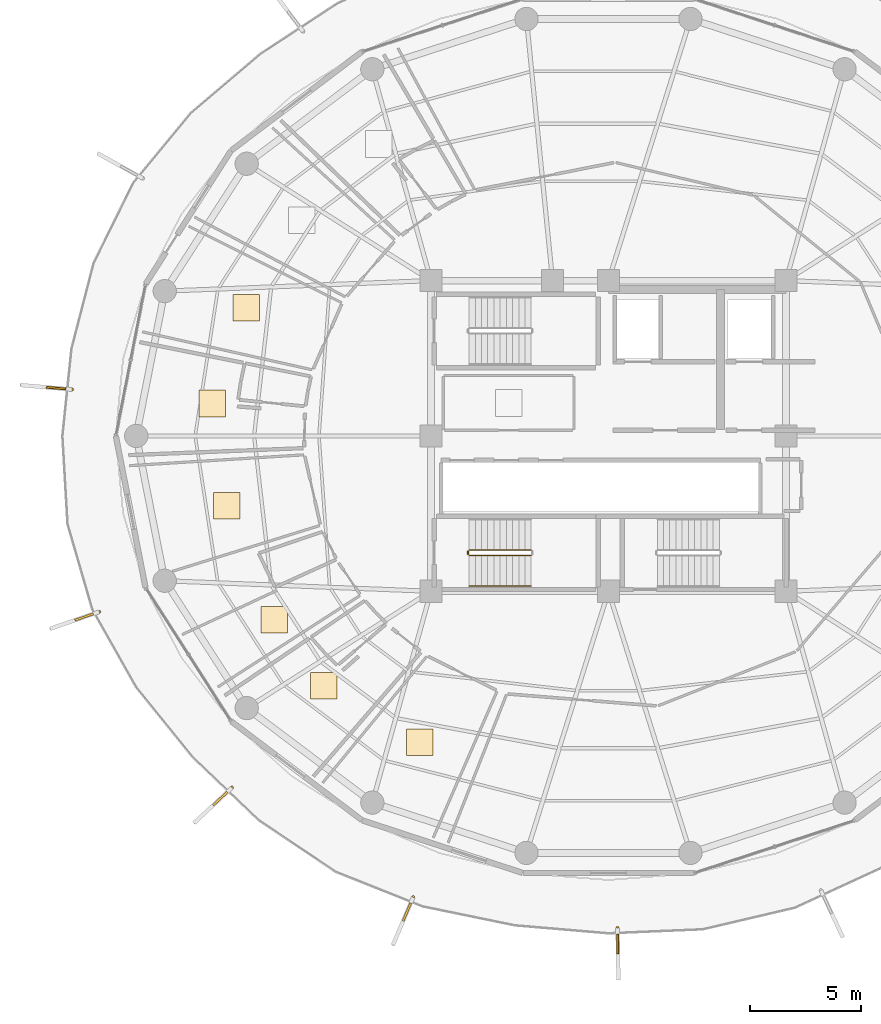
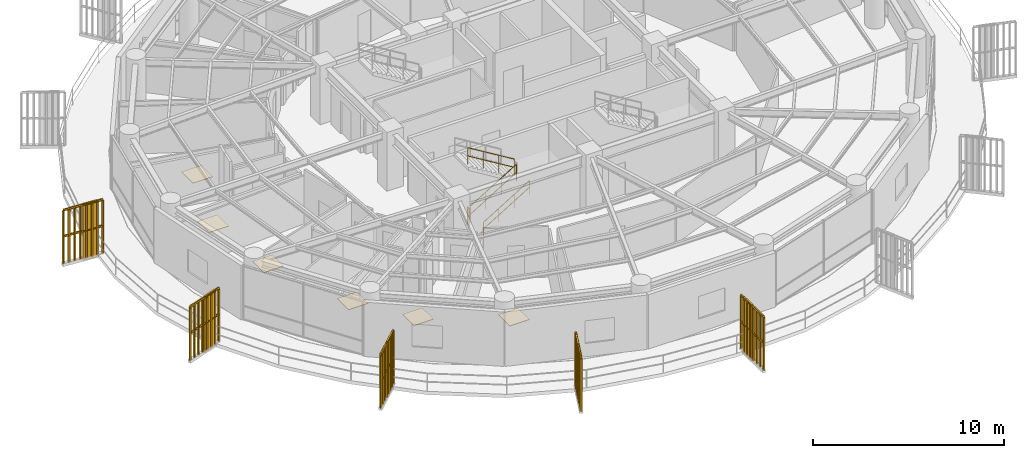
# One storey, part 27 of 30: 9 railings, 6 coverings, 5 shading devices.
"""IFC4 building model written with IfcOpenShell, lengths in metres."""

from ifc_helpers import new_model, si_unit, direction, frame, origin, origin_2d, place, context, subcontext, project, spatial, polyline, rectangle, outline, extrude, source, transform, mapped, material, layer, layer_set, type_object, element, save


model = new_model("IFC4")

# Units and contexts
model_context = context("Model", 3, precision=1e-05, world=origin(), true_north=direction((0.0, 1.0)))
body_context = subcontext(model_context, "Body", "Model", "MODEL_VIEW")
ifc_project = project(units=[si_unit("LENGTHUNIT", "METRE"), si_unit("AREAUNIT", "SQUARE_METRE"), si_unit("VOLUMEUNIT", "CUBIC_METRE"), si_unit("PLANEANGLEUNIT", "RADIAN"), si_unit("MASSUNIT", "GRAM", prefix="KILO")], contexts=[model_context])

# Site, building, storey
site_placement = place(None, origin())
site = spatial("IfcSite", under=ifc_project, at=site_placement, CompositionType="ELEMENT")
building_placement = place(site_placement, origin())
building = spatial("IfcBuilding", under=site, at=building_placement, Name="Kelanora Arch Commons", CompositionType="ELEMENT")
storey_placement = place(building_placement, frame((0.0, 0.0, 234.449951171875)))
storey = spatial("IfcBuildingStorey", under=building, at=storey_placement, Name="L60", CompositionType="ELEMENT", Elevation=234.449951171875)

# Railings
ifc_material_1 = material(Name="Anodised bronze vertical shading fin rib assembly")
railing_type_1 = type_object("IfcRailingType", Name="RAIL-FIN-BRZ", PredefinedType="BALUSTRADE", material=ifc_material_1)
railing_1_placement = place(storey_placement, frame((49.8310546875, 60.092041015625, -0.02001953125)))
element("IfcRailing", 1, at=railing_1_placement, inside=storey, type_object=railing_type_1, Name="Sweeping Bronze Vertical Fin Blade L60-09", PredefinedType="BALUSTRADE", context=body_context, shape_type="SweptSolid", body=[
    extrude(outline(polyline([(0.06982421875, 0.0), (0.034912109375, 0.060546875), (-0.034912109375, 0.060546875), (-0.06982421875, 0.0), (-0.034912109375, -0.060546875), (0.034912109375, -0.060546875), (0.06982421875, 0.0)])), frame((0.0, 0.0, 3.419921875), z_axis=(-0.996277510897, 0.086203951653, 0.0), x_axis=(-0.086203951653, -0.996277510897, 0.0)), (0.0, 0.0, 1.0), 2.277099609375),
    extrude(outline(polyline([(0.06982421875, 0.0), (0.034912109375, 0.060546875), (-0.034912109375, 0.060546875), (-0.06982421875, 0.0), (-0.034912109375, -0.060546875), (0.034912109375, -0.060546875), (0.06982421875, 0.0)])), frame((0.0, 0.0, 1.7451171875), z_axis=(-0.996277510897, 0.086203951653, 0.0), x_axis=(-0.086203951653, -0.996277510897, 0.0)), (0.0, 0.0, 1.0), 2.277099609375),
    extrude(outline(polyline([(0.080078125, 0.0), (0.0400390625, 0.0693359375), (-0.0400390625, 0.0693359375), (-0.080078125, 0.0), (-0.0400390625, -0.0693359375), (0.0400390625, -0.0693359375), (0.080078125, 0.0)])), origin(), (0.0, 0.0, 1.0), 3.35009765625),
    extrude(outline(polyline([(0.080078125, 0.0), (0.0400390625, 0.0693359375), (-0.0400390625, 0.0693359375), (-0.080078125, 0.0), (-0.0400390625, -0.0693359375), (0.0400390625, -0.0693359375), (0.080078125, 0.0)])), frame((-0.323974609375, 0.028076171875, 0.0)), (0.0, 0.0, 1.0), 3.35009765625),
    extrude(outline(polyline([(0.080078125, 0.0), (0.0400390625, 0.0693359375), (-0.0400390625, 0.0693359375), (-0.080078125, 0.0), (-0.0400390625, -0.0693359375), (0.0400390625, -0.0693359375), (0.080078125, 0.0)])), frame((-0.648193359375, 0.05615234375, 0.0)), (0.0, 0.0, 1.0), 3.35009765625),
    extrude(outline(polyline([(0.080078125, 0.0), (0.0400390625, 0.0693359375), (-0.0400390625, 0.0693359375), (-0.080078125, 0.0), (-0.0400390625, -0.0693359375), (0.0400390625, -0.0693359375), (0.080078125, 0.0)])), frame((-0.97216796875, 0.084228515625, 0.0)), (0.0, 0.0, 1.0), 3.35009765625),
    extrude(outline(polyline([(0.080078125, 0.0), (0.0400390625, 0.0693359375), (-0.0400390625, 0.0693359375), (-0.080078125, 0.0), (-0.0400390625, -0.0693359375), (0.0400390625, -0.0693359375), (0.080078125, 0.0)])), frame((-1.29638671875, 0.112060546875, 0.0)), (0.0, 0.0, 1.0), 3.35009765625),
    extrude(outline(polyline([(0.080078125, 0.0), (0.0400390625, 0.0693359375), (-0.0400390625, 0.0693359375), (-0.080078125, 0.0), (-0.0400390625, -0.0693359375), (0.0400390625, -0.0693359375), (0.080078125, 0.0)])), frame((-1.620361328125, 0.14013671875, 0.0)), (0.0, 0.0, 1.0), 3.35009765625),
    extrude(outline(polyline([(0.080078125, 0.0), (0.0400390625, 0.0693359375), (-0.0400390625, 0.0693359375), (-0.080078125, 0.0), (-0.0400390625, -0.0693359375), (0.0400390625, -0.0693359375), (0.080078125, 0.0)])), frame((-1.944580078125, 0.168212890625, 0.0)), (0.0, 0.0, 1.0), 3.35009765625),
    extrude(outline(polyline([(0.080078125, 0.0), (0.0400390625, 0.0693359375), (-0.0400390625, 0.0693359375), (-0.080078125, 0.0), (-0.0400390625, -0.0693359375), (0.0400390625, -0.0693359375), (0.080078125, 0.0)])), frame((-2.2685546875, 0.1962890625, 0.0)), (0.0, 0.0, 1.0), 3.35009765625),
])
railing_2_placement = place(storey_placement, frame((51.051513671875, 50.074462890625, -0.02001953125)))
element("IfcRailing", 2, at=railing_2_placement, inside=storey, type_object=railing_type_1, Name="Sweeping Bronze Vertical Fin Blade L60-10", PredefinedType="BALUSTRADE", context=body_context, shape_type="SweptSolid", body=[
    extrude(outline(polyline([(0.06982421875, 0.0), (0.034912109375, 0.060546875), (-0.034912109375, 0.060546875), (-0.06982421875, 0.0), (-0.034912109375, -0.060546875), (0.034912109375, -0.060546875), (0.06982421875, 0.0)])), frame((0.0, 0.0, 3.419921875), z_axis=(-0.9452076511, -0.326469747913, 0.0), x_axis=(0.326469747913, -0.9452076511, 0.0)), (0.0, 0.0, 1.0), 2.277099609375),
    extrude(outline(polyline([(0.06982421875, 0.0), (0.034912109375, 0.060546875), (-0.034912109375, 0.060546875), (-0.06982421875, 0.0), (-0.034912109375, -0.060546875), (0.034912109375, -0.060546875), (0.06982421875, 0.0)])), frame((0.0, 0.0, 1.7451171875), z_axis=(-0.9452076511, -0.326469747913, 0.0), x_axis=(0.326469747913, -0.9452076511, 0.0)), (0.0, 0.0, 1.0), 2.277099609375),
    extrude(outline(polyline([(0.080078125, 0.0), (0.0400390625, 0.0693359375), (-0.0400390625, 0.0693359375), (-0.080078125, 0.0), (-0.0400390625, -0.0693359375), (0.0400390625, -0.0693359375), (0.080078125, 0.0)])), origin(), (0.0, 0.0, 1.0), 3.35009765625),
    extrude(outline(polyline([(0.080078125, 0.0), (0.0400390625, 0.0693359375), (-0.0400390625, 0.0693359375), (-0.080078125, 0.0), (-0.0400390625, -0.0693359375), (0.0400390625, -0.0693359375), (0.080078125, 0.0)])), frame((-0.307373046875, -0.106201171875, 0.0)), (0.0, 0.0, 1.0), 3.35009765625),
    extrude(outline(polyline([(0.080078125, 0.0), (0.0400390625, 0.0693359375), (-0.0400390625, 0.0693359375), (-0.080078125, 0.0), (-0.0400390625, -0.0693359375), (0.0400390625, -0.0693359375), (0.080078125, 0.0)])), frame((-0.614990234375, -0.21240234375, 0.0)), (0.0, 0.0, 1.0), 3.35009765625),
    extrude(outline(polyline([(0.080078125, 0.0), (0.0400390625, 0.0693359375), (-0.0400390625, 0.0693359375), (-0.080078125, 0.0), (-0.0400390625, -0.0693359375), (0.0400390625, -0.0693359375), (0.080078125, 0.0)])), frame((-0.92236328125, -0.318603515625, 0.0)), (0.0, 0.0, 1.0), 3.35009765625),
    extrude(outline(polyline([(0.080078125, 0.0), (0.0400390625, 0.0693359375), (-0.0400390625, 0.0693359375), (-0.080078125, 0.0), (-0.0400390625, -0.0693359375), (0.0400390625, -0.0693359375), (0.080078125, 0.0)])), frame((-1.22998046875, -0.4248046875, 0.0)), (0.0, 0.0, 1.0), 3.35009765625),
    extrude(outline(polyline([(0.080078125, 0.0), (0.0400390625, 0.0693359375), (-0.0400390625, 0.0693359375), (-0.080078125, 0.0), (-0.0400390625, -0.0693359375), (0.0400390625, -0.0693359375), (0.080078125, 0.0)])), frame((-1.537353515625, -0.531005859375, 0.0)), (0.0, 0.0, 1.0), 3.35009765625),
    extrude(outline(polyline([(0.080078125, 0.0), (0.0400390625, 0.0693359375), (-0.0400390625, 0.0693359375), (-0.080078125, 0.0), (-0.0400390625, -0.0693359375), (0.0400390625, -0.0693359375), (0.080078125, 0.0)])), frame((-1.844970703125, -0.63720703125, 0.0)), (0.0, 0.0, 1.0), 3.35009765625),
    extrude(outline(polyline([(0.080078125, 0.0), (0.0400390625, 0.0693359375), (-0.0400390625, 0.0693359375), (-0.080078125, 0.0), (-0.0400390625, -0.0693359375), (0.0400390625, -0.0693359375), (0.080078125, 0.0)])), frame((-2.15234375, -0.743408203125, 0.0)), (0.0, 0.0, 1.0), 3.35009765625),
])
railing_3_placement = place(storey_placement, frame((57.031005859375, 42.146728515625, -0.02001953125)))
element("IfcRailing", 3, at=railing_3_placement, inside=storey, type_object=railing_type_1, Name="Sweeping Bronze Vertical Fin Blade L60-11", PredefinedType="BALUSTRADE", context=body_context, shape_type="SweptSolid", body=[
    extrude(outline(polyline([(0.06982421875, 0.0), (0.034912109375, 0.060546875), (-0.034912109375, 0.060546875), (-0.06982421875, 0.0), (-0.034912109375, -0.060546875), (0.034912109375, -0.060546875), (0.06982421875, 0.0)])), frame((0.0, 0.0, 3.419921875), z_axis=(-0.730766414223, -0.682627605539, 0.0), x_axis=(0.682627605539, -0.730766414223, 0.0)), (0.0, 0.0, 1.0), 2.277099609375),
    extrude(outline(polyline([(0.06982421875, 0.0), (0.034912109375, 0.060546875), (-0.034912109375, 0.060546875), (-0.06982421875, 0.0), (-0.034912109375, -0.060546875), (0.034912109375, -0.060546875), (0.06982421875, 0.0)])), frame((0.0, 0.0, 1.7451171875), z_axis=(-0.730766414223, -0.682627605539, 0.0), x_axis=(0.682627605539, -0.730766414223, 0.0)), (0.0, 0.0, 1.0), 2.277099609375),
    extrude(outline(polyline([(0.080078125, 0.0), (0.0400390625, 0.0693359375), (-0.0400390625, 0.0693359375), (-0.080078125, 0.0), (-0.0400390625, -0.0693359375), (0.0400390625, -0.0693359375), (0.080078125, 0.0)])), origin(), (0.0, 0.0, 1.0), 3.35009765625),
    extrude(outline(polyline([(0.080078125, 0.0), (0.0400390625, 0.0693359375), (-0.0400390625, 0.0693359375), (-0.080078125, 0.0), (-0.0400390625, -0.0693359375), (0.0400390625, -0.0693359375), (0.080078125, 0.0)])), frame((-0.23779296875, -0.22216796875, 0.0)), (0.0, 0.0, 1.0), 3.35009765625),
    extrude(outline(polyline([(0.080078125, 0.0), (0.0400390625, 0.0693359375), (-0.0400390625, 0.0693359375), (-0.080078125, 0.0), (-0.0400390625, -0.0693359375), (0.0400390625, -0.0693359375), (0.080078125, 0.0)])), frame((-0.475341796875, -0.444091796875, 0.0)), (0.0, 0.0, 1.0), 3.35009765625),
    extrude(outline(polyline([(0.080078125, 0.0), (0.0400390625, 0.0693359375), (-0.0400390625, 0.0693359375), (-0.080078125, 0.0), (-0.0400390625, -0.0693359375), (0.0400390625, -0.0693359375), (0.080078125, 0.0)])), frame((-0.713134765625, -0.666259765625, 0.0)), (0.0, 0.0, 1.0), 3.35009765625),
    extrude(outline(polyline([(0.080078125, 0.0), (0.0400390625, 0.0693359375), (-0.0400390625, 0.0693359375), (-0.080078125, 0.0), (-0.0400390625, -0.0693359375), (0.0400390625, -0.0693359375), (0.080078125, 0.0)])), frame((-0.950927734375, -0.88818359375, 0.0)), (0.0, 0.0, 1.0), 3.35009765625),
    extrude(outline(polyline([(0.080078125, 0.0), (0.0400390625, 0.0693359375), (-0.0400390625, 0.0693359375), (-0.080078125, 0.0), (-0.0400390625, -0.0693359375), (0.0400390625, -0.0693359375), (0.080078125, 0.0)])), frame((-1.188720703125, -1.1103515625, 0.0)), (0.0, 0.0, 1.0), 3.35009765625),
    extrude(outline(polyline([(0.080078125, 0.0), (0.0400390625, 0.0693359375), (-0.0400390625, 0.0693359375), (-0.080078125, 0.0), (-0.0400390625, -0.0693359375), (0.0400390625, -0.0693359375), (0.080078125, 0.0)])), frame((-1.42626953125, -1.332275390625, 0.0)), (0.0, 0.0, 1.0), 3.35009765625),
    extrude(outline(polyline([(0.080078125, 0.0), (0.0400390625, 0.0693359375), (-0.0400390625, 0.0693359375), (-0.080078125, 0.0), (-0.0400390625, -0.0693359375), (0.0400390625, -0.0693359375), (0.080078125, 0.0)])), frame((-1.6640625, -1.554443359375, 0.0)), (0.0, 0.0, 1.0), 3.35009765625),
])
railing_4_placement = place(storey_placement, frame((65.198486328125, 37.211181640625, -0.02001953125)))
element("IfcRailing", 4, at=railing_4_placement, inside=storey, type_object=railing_type_1, Name="Sweeping Bronze Vertical Fin Blade L60-12", PredefinedType="BALUSTRADE", context=body_context, shape_type="SweptSolid", body=[
    extrude(outline(polyline([(0.06982421875, 0.0), (0.034912109375, 0.060546875), (-0.034912109375, 0.060546875), (-0.06982421875, 0.0), (-0.034912109375, -0.060546875), (0.034912109375, -0.060546875), (0.06982421875, 0.0)])), frame((0.0, 0.0, 3.419921875), z_axis=(-0.389930264613, -0.920844388992, 0.0), x_axis=(0.920844388992, -0.389930264613, 0.0)), (0.0, 0.0, 1.0), 2.277099609375),
    extrude(outline(polyline([(0.06982421875, 0.0), (0.034912109375, 0.060546875), (-0.034912109375, 0.060546875), (-0.06982421875, 0.0), (-0.034912109375, -0.060546875), (0.034912109375, -0.060546875), (0.06982421875, 0.0)])), frame((0.0, 0.0, 1.7451171875), z_axis=(-0.389930264613, -0.920844388992, 0.0), x_axis=(0.920844388992, -0.389930264613, 0.0)), (0.0, 0.0, 1.0), 2.277099609375),
    extrude(outline(polyline([(0.080078125, 0.0), (0.0400390625, 0.0693359375), (-0.0400390625, 0.0693359375), (-0.080078125, 0.0), (-0.0400390625, -0.0693359375), (0.0400390625, -0.0693359375), (0.080078125, 0.0)])), origin(), (0.0, 0.0, 1.0), 3.35009765625),
    extrude(outline(polyline([(0.080078125, 0.0), (0.0400390625, 0.0693359375), (-0.0400390625, 0.0693359375), (-0.080078125, 0.0), (-0.0400390625, -0.0693359375), (0.0400390625, -0.0693359375), (0.080078125, 0.0)])), frame((-0.126953125, -0.299560546875, 0.0)), (0.0, 0.0, 1.0), 3.35009765625),
    extrude(outline(polyline([(0.080078125, 0.0), (0.0400390625, 0.0693359375), (-0.0400390625, 0.0693359375), (-0.080078125, 0.0), (-0.0400390625, -0.0693359375), (0.0400390625, -0.0693359375), (0.080078125, 0.0)])), frame((-0.253662109375, -0.59912109375, 0.0)), (0.0, 0.0, 1.0), 3.35009765625),
    extrude(outline(polyline([(0.080078125, 0.0), (0.0400390625, 0.0693359375), (-0.0400390625, 0.0693359375), (-0.080078125, 0.0), (-0.0400390625, -0.0693359375), (0.0400390625, -0.0693359375), (0.080078125, 0.0)])), frame((-0.380615234375, -0.898681640625, 0.0)), (0.0, 0.0, 1.0), 3.35009765625),
    extrude(outline(polyline([(0.080078125, 0.0), (0.0400390625, 0.0693359375), (-0.0400390625, 0.0693359375), (-0.080078125, 0.0), (-0.0400390625, -0.0693359375), (0.0400390625, -0.0693359375), (0.080078125, 0.0)])), frame((-0.50732421875, -1.1982421875, 0.0)), (0.0, 0.0, 1.0), 3.35009765625),
    extrude(outline(polyline([(0.080078125, 0.0), (0.0400390625, 0.0693359375), (-0.0400390625, 0.0693359375), (-0.080078125, 0.0), (-0.0400390625, -0.0693359375), (0.0400390625, -0.0693359375), (0.080078125, 0.0)])), frame((-0.63427734375, -1.497802734375, 0.0)), (0.0, 0.0, 1.0), 3.35009765625),
    extrude(outline(polyline([(0.080078125, 0.0), (0.0400390625, 0.0693359375), (-0.0400390625, 0.0693359375), (-0.080078125, 0.0), (-0.0400390625, -0.0693359375), (0.0400390625, -0.0693359375), (0.080078125, 0.0)])), frame((-0.760986328125, -1.79736328125, 0.0)), (0.0, 0.0, 1.0), 3.35009765625),
    extrude(outline(polyline([(0.080078125, 0.0), (0.0400390625, 0.0693359375), (-0.0400390625, 0.0693359375), (-0.080078125, 0.0), (-0.0400390625, -0.0693359375), (0.0400390625, -0.0693359375), (0.080078125, 0.0)])), frame((-0.887939453125, -2.096923828125, 0.0)), (0.0, 0.0, 1.0), 3.35009765625),
])
railing_5_placement = place(storey_placement, frame((74.407470703125, 35.829833984375, -0.02001953125)))
element("IfcRailing", 5, at=railing_5_placement, inside=storey, type_object=railing_type_1, Name="Sweeping Bronze Vertical Fin Blade L60-13", PredefinedType="BALUSTRADE", context=body_context, shape_type="SweptSolid", body=[
    extrude(outline(polyline([(0.06982421875, 0.0), (0.034912109375, 0.060546875), (-0.034912109375, 0.060546875), (-0.06982421875, 0.0), (-0.034912109375, -0.060546875), (0.034912109375, -0.060546875), (0.06982421875, 0.0)])), frame((0.0, 0.0, 3.419921875), z_axis=(0.018332753796, -0.999831940947, 0.0), x_axis=(0.999831940947, 0.018332753796, 0.0)), (0.0, 0.0, 1.0), 2.27734375),
    extrude(outline(polyline([(0.06982421875, 0.0), (0.034912109375, 0.060546875), (-0.034912109375, 0.060546875), (-0.06982421875, 0.0), (-0.034912109375, -0.060546875), (0.034912109375, -0.060546875), (0.06982421875, 0.0)])), frame((0.0, 0.0, 1.7451171875), z_axis=(0.018332753796, -0.999831940947, 0.0), x_axis=(0.999831940947, 0.018332753796, 0.0)), (0.0, 0.0, 1.0), 2.27734375),
    extrude(outline(polyline([(0.080078125, 0.0), (0.0400390625, 0.0693359375), (-0.0400390625, 0.0693359375), (-0.080078125, 0.0), (-0.0400390625, -0.0693359375), (0.0400390625, -0.0693359375), (0.080078125, 0.0)])), origin(), (0.0, 0.0, 1.0), 3.35009765625),
    extrude(outline(polyline([(0.080078125, 0.0), (0.0400390625, 0.0693359375), (-0.0400390625, 0.0693359375), (-0.080078125, 0.0), (-0.0400390625, -0.0693359375), (0.0400390625, -0.0693359375), (0.080078125, 0.0)])), frame((0.005859375, -0.3251953125, 0.0)), (0.0, 0.0, 1.0), 3.35009765625),
    extrude(outline(polyline([(0.080078125, 0.0), (0.0400390625, 0.0693359375), (-0.0400390625, 0.0693359375), (-0.080078125, 0.0), (-0.0400390625, -0.0693359375), (0.0400390625, -0.0693359375), (0.080078125, 0.0)])), frame((0.011962890625, -0.650634765625, 0.0)), (0.0, 0.0, 1.0), 3.35009765625),
    extrude(outline(polyline([(0.080078125, 0.0), (0.0400390625, 0.0693359375), (-0.0400390625, 0.0693359375), (-0.080078125, 0.0), (-0.0400390625, -0.0693359375), (0.0400390625, -0.0693359375), (0.080078125, 0.0)])), frame((0.017822265625, -0.975830078125, 0.0)), (0.0, 0.0, 1.0), 3.35009765625),
    extrude(outline(polyline([(0.080078125, 0.0), (0.0400390625, 0.0693359375), (-0.0400390625, 0.0693359375), (-0.080078125, 0.0), (-0.0400390625, -0.0693359375), (0.0400390625, -0.0693359375), (0.080078125, 0.0)])), frame((0.02392578125, -1.301025390625, 0.0)), (0.0, 0.0, 1.0), 3.35009765625),
    extrude(outline(polyline([(0.080078125, 0.0), (0.0400390625, 0.0693359375), (-0.0400390625, 0.0693359375), (-0.080078125, 0.0), (-0.0400390625, -0.0693359375), (0.0400390625, -0.0693359375), (0.080078125, 0.0)])), frame((0.02978515625, -1.626220703125, 0.0)), (0.0, 0.0, 1.0), 3.35009765625),
    extrude(outline(polyline([(0.080078125, 0.0), (0.0400390625, 0.0693359375), (-0.0400390625, 0.0693359375), (-0.080078125, 0.0), (-0.0400390625, -0.0693359375), (0.0400390625, -0.0693359375), (0.080078125, 0.0)])), frame((0.035888671875, -1.95166015625, 0.0)), (0.0, 0.0, 1.0), 3.35009765625),
    extrude(outline(polyline([(0.080078125, 0.0), (0.0400390625, 0.0693359375), (-0.0400390625, 0.0693359375), (-0.080078125, 0.0), (-0.0400390625, -0.0693359375), (0.0400390625, -0.0693359375), (0.080078125, 0.0)])), frame((0.041748046875, -2.27685546875, 0.0)), (0.0, 0.0, 1.0), 3.35009765625),
])
ifc_material_2 = material(Name="Painted steel stair well guard", Category="steel")
railing_type_2 = type_object("IfcRailingType", Name="RAIL-STAIR-GRD", PredefinedType="GUARDRAIL", material=ifc_material_2)
railing_6_placement = place(storey_placement, frame((67.719970703125, 52.610107421875, 0.17041015625)))
element("IfcRailing", 6, at=railing_6_placement, inside=storey, type_object=railing_type_2, Name="L60 ST-T3 stair guard 1", PredefinedType="GUARDRAIL", context=body_context, shape_type="SweptSolid", body=[
    extrude(outline(polyline([(0.02392578125, 0.0), (0.011962890625, 0.020751953125), (-0.011962890625, 0.020751953125), (-0.02392578125, 0.0), (-0.011962890625, -0.020751953125), (0.011962890625, -0.020751953125), (0.02392578125, 0.0)])), frame((0.0, 0.0, 1.076171875), z_axis=(0.854169791009, 0.0, 0.51999420009), x_axis=(0.0, 1.0, 0.0)), (0.0, 0.0, 1.0), 3.278076171875),
    extrude(outline(polyline([(0.02392578125, 0.0), (0.011962890625, 0.020751953125), (-0.011962890625, 0.020751953125), (-0.02392578125, 0.0), (-0.011962890625, -0.020751953125), (0.011962890625, -0.020751953125), (0.02392578125, 0.0)])), frame((0.0, 0.0, 0.550048828125), z_axis=(0.854169791009, 0.0, 0.51999420009), x_axis=(0.0, 1.0, 0.0)), (0.0, 0.0, 1.0), 3.278076171875),
    extrude(outline(polyline([(0.02099609375, 0.0), (0.010498046875, 0.01806640625), (-0.010498046875, 0.01806640625), (-0.02099609375, 0.0), (-0.010498046875, -0.01806640625), (0.010498046875, -0.01806640625), (0.02099609375, 0.0)])), origin(), (0.0, 0.0, 1.0), 1.052001953125),
    extrude(outline(polyline([(0.02099609375, 0.0), (0.010498046875, 0.01806640625), (-0.010498046875, 0.01806640625), (-0.02099609375, 0.0), (-0.010498046875, -0.01806640625), (0.010498046875, -0.01806640625), (0.02099609375, 0.0)])), frame((0.933349609375, 0.0, 0.568115234375)), (0.0, 0.0, 1.0), 1.052001953125),
    extrude(outline(polyline([(0.02099609375, 0.0), (0.010498046875, 0.01806640625), (-0.010498046875, 0.01806640625), (-0.02099609375, 0.0), (-0.010498046875, -0.01806640625), (0.010498046875, -0.01806640625), (0.02099609375, 0.0)])), frame((1.86669921875, 0.0, 1.136474609375)), (0.0, 0.0, 1.0), 1.052001953125),
    extrude(outline(polyline([(0.02099609375, 0.0), (0.010498046875, 0.01806640625), (-0.010498046875, 0.01806640625), (-0.02099609375, 0.0), (-0.010498046875, -0.01806640625), (0.010498046875, -0.01806640625), (0.02099609375, 0.0)])), frame((2.800048828125, 0.0, 1.70458984375)), (0.0, 0.0, 1.0), 1.052001953125),
])
railing_7_placement = place(storey_placement, frame((70.52001953125, 52.860107421875, 2.04541015625)))
element("IfcRailing", 7, at=railing_7_placement, inside=storey, type_object=railing_type_2, Name="L60 ST-T3 stair guard 3", PredefinedType="GUARDRAIL", context=body_context, shape_type="SweptSolid", body=[
    extrude(outline(polyline([(0.02392578125, 0.0), (0.011962890625, 0.020751953125), (-0.011962890625, 0.020751953125), (-0.02392578125, 0.0), (-0.011962890625, -0.020751953125), (0.011962890625, -0.020751953125), (0.02392578125, 0.0)])), frame((0.0, 0.0, 1.076171875), z_axis=(-0.854169791009, 0.0, 0.51999420009), x_axis=(0.0, -1.0, 0.0)), (0.0, 0.0, 1.0), 3.278076171875),
    extrude(outline(polyline([(0.02392578125, 0.0), (0.011962890625, 0.020751953125), (-0.011962890625, 0.020751953125), (-0.02392578125, 0.0), (-0.011962890625, -0.020751953125), (0.011962890625, -0.020751953125), (0.02392578125, 0.0)])), frame((0.0, 0.0, 0.550048828125), z_axis=(-0.854169791009, 0.0, 0.51999420009), x_axis=(0.0, -1.0, 0.0)), (0.0, 0.0, 1.0), 3.278076171875),
    extrude(outline(polyline([(0.02099609375, 0.0), (0.010498046875, 0.01806640625), (-0.010498046875, 0.01806640625), (-0.02099609375, 0.0), (-0.010498046875, -0.01806640625), (0.010498046875, -0.01806640625), (0.02099609375, 0.0)])), origin(), (0.0, 0.0, 1.0), 1.052001953125),
    extrude(outline(polyline([(0.02099609375, 0.0), (0.010498046875, 0.01806640625), (-0.010498046875, 0.01806640625), (-0.02099609375, 0.0), (-0.010498046875, -0.01806640625), (0.010498046875, -0.01806640625), (0.02099609375, 0.0)])), frame((-0.933349609375, 0.0, 0.568115234375)), (0.0, 0.0, 1.0), 1.052001953125),
    extrude(outline(polyline([(0.02099609375, 0.0), (0.010498046875, 0.01806640625), (-0.010498046875, 0.01806640625), (-0.02099609375, 0.0), (-0.010498046875, -0.01806640625), (0.010498046875, -0.01806640625), (0.02099609375, 0.0)])), frame((-1.86669921875, 0.0, 1.136474609375)), (0.0, 0.0, 1.0), 1.052001953125),
    extrude(outline(polyline([(0.02099609375, 0.0), (0.010498046875, 0.01806640625), (-0.010498046875, 0.01806640625), (-0.02099609375, 0.0), (-0.010498046875, -0.01806640625), (0.010498046875, -0.01806640625), (0.02099609375, 0.0)])), frame((-2.800048828125, 0.0, 1.70458984375)), (0.0, 0.0, 1.0), 1.052001953125),
])
railing_8_placement = place(storey_placement, frame((67.669921875, 52.659912109375, 0.0)))
element("IfcRailing", 8, at=railing_8_placement, inside=storey, type_object=railing_type_2, Name="L60 ST-T3 stair guard 4", PredefinedType="GUARDRAIL", context=body_context, shape_type="SweptSolid", body=[
    extrude(outline(polyline([(0.02392578125, 0.0), (0.011962890625, 0.020751953125), (-0.011962890625, 0.020751953125), (-0.02392578125, 0.0), (-0.011962890625, -0.020751953125), (0.011962890625, -0.020751953125), (0.02392578125, 0.0)])), frame((0.0, 0.0, 1.076171875), z_axis=(0.0, 1.0, 0.0), x_axis=(-1.0, 0.0, 0.0)), (0.0, 0.0, 1.0), 0.150146484375),
    extrude(outline(polyline([(0.02392578125, 0.0), (0.011962890625, 0.020751953125), (-0.011962890625, 0.020751953125), (-0.02392578125, 0.0), (-0.011962890625, -0.020751953125), (0.011962890625, -0.020751953125), (0.02392578125, 0.0)])), frame((0.0, 0.0, 0.550048828125), z_axis=(0.0, 1.0, 0.0), x_axis=(-1.0, 0.0, 0.0)), (0.0, 0.0, 1.0), 0.150146484375),
    extrude(outline(polyline([(0.02099609375, 0.0), (0.010498046875, 0.01806640625), (-0.010498046875, 0.01806640625), (-0.02099609375, 0.0), (-0.010498046875, -0.01806640625), (0.010498046875, -0.01806640625), (0.02099609375, 0.0)])), origin(), (0.0, 0.0, 1.0), 1.052001953125),
    extrude(outline(polyline([(0.02099609375, 0.0), (0.010498046875, 0.01806640625), (-0.010498046875, 0.01806640625), (-0.02099609375, 0.0), (-0.010498046875, -0.01806640625), (0.010498046875, -0.01806640625), (0.02099609375, 0.0)])), frame((0.0, 0.150146484375, 0.0)), (0.0, 0.0, 1.0), 1.052001953125),
])
ifc_material_3 = material(Name="Brushed stainless steel stair handrail", Category="steel")
railing_type_3 = type_object("IfcRailingType", Name="RAIL-STAIR-HND", PredefinedType="HANDRAIL", material=ifc_material_3)
railing_9_placement = place(storey_placement, frame((67.719970703125, 51.22998046875, 0.17041015625)))
element("IfcRailing", 9, at=railing_9_placement, inside=storey, type_object=railing_type_3, Name="L60 ST-T3 stair handrail 1", PredefinedType="HANDRAIL", context=body_context, shape_type="SweptSolid", body=[
    extrude(outline(polyline([(0.02392578125, 0.0), (0.011962890625, 0.020751953125), (-0.011962890625, 0.020751953125), (-0.02392578125, 0.0), (-0.011962890625, -0.020751953125), (0.011962890625, -0.020751953125), (0.02392578125, 0.0)])), frame((0.0, 0.0, 0.8759765625), z_axis=(0.854169791009, 0.0, 0.51999420009), x_axis=(0.0, 1.0, 0.0)), (0.0, 0.0, 1.0), 3.278076171875),
    extrude(outline(polyline([(0.02392578125, 0.0), (0.011962890625, 0.020751953125), (-0.011962890625, 0.020751953125), (-0.02392578125, 0.0), (-0.011962890625, -0.020751953125), (0.011962890625, -0.020751953125), (0.02392578125, 0.0)])), frame((0.0, 0.0, 0.449951171875), z_axis=(0.854169791009, 0.0, 0.51999420009), x_axis=(0.0, 1.0, 0.0)), (0.0, 0.0, 1.0), 3.278076171875),
    extrude(outline(polyline([(0.02099609375, 0.0), (0.010498046875, 0.01806640625), (-0.010498046875, 0.01806640625), (-0.02099609375, 0.0), (-0.010498046875, -0.01806640625), (0.010498046875, -0.01806640625), (0.02099609375, 0.0)])), origin(), (0.0, 0.0, 1.0), 0.851806640625),
    extrude(outline(polyline([(0.02099609375, 0.0), (0.010498046875, 0.01806640625), (-0.010498046875, 0.01806640625), (-0.02099609375, 0.0), (-0.010498046875, -0.01806640625), (0.010498046875, -0.01806640625), (0.02099609375, 0.0)])), frame((0.933349609375, 0.0, 0.568115234375)), (0.0, 0.0, 1.0), 0.851806640625),
    extrude(outline(polyline([(0.02099609375, 0.0), (0.010498046875, 0.01806640625), (-0.010498046875, 0.01806640625), (-0.02099609375, 0.0), (-0.010498046875, -0.01806640625), (0.010498046875, -0.01806640625), (0.02099609375, 0.0)])), frame((1.86669921875, 0.0, 1.136474609375)), (0.0, 0.0, 1.0), 0.851806640625),
    extrude(outline(polyline([(0.02099609375, 0.0), (0.010498046875, 0.01806640625), (-0.010498046875, 0.01806640625), (-0.02099609375, 0.0), (-0.010498046875, -0.01806640625), (0.010498046875, -0.01806640625), (0.02099609375, 0.0)])), frame((2.800048828125, 0.0, 1.70458984375)), (0.0, 0.0, 1.0), 0.851806640625),
])

# Shading devices
ifc_material_4 = material(Name="Terracotta ceramic-clad extruded aluminium fin", Category="masonry")
shading_device_type = type_object("IfcShadingDeviceType", Name="SHD-FIN-FLARE", PredefinedType="USERDEFINED", material=ifc_material_4)
shared_shape_1 = source(origin(), body_context, "Body", "SweptSolid", [
    extrude(rectangle(XDim=0.8798828125, YDim=0.090087890625, at=origin_2d()), origin(), (0.0, 0.0, 1.0), 3.610107421875),
])
for number, where, z_axis, x_axis, name in (
    (10, (49.11376953125, 60.154052734375, -0.14013671875), (0.0, 0.0, 1.0), (-0.996270376493, 0.086286365798, 0.0), "Sweeping Terracotta Fin L60-09"),
    (11, (50.370849609375, 49.83935546875, -0.14013671875), (0.0, 0.0, 1.0), (-0.945234103797, -0.326393150999, 0.0), "Sweeping Terracotta Fin L60-10"),
    (12, (56.5048828125, 41.6552734375, -0.14013671875), (0.0, 0.0, 1.0), (-0.730758267372, -0.6826363268, 0.0), "Sweeping Terracotta Fin L60-11"),
    (13, (64.91748046875, 36.548095703125, -0.14013671875), (0.0, 0.0, 1.0), (-0.389927687788, -0.920845480141, 0.0), "Sweeping Terracotta Fin L60-12"),
    (14, (74.420654296875, 35.110107421875, -0.14013671875), (0.0, 0.0, 1.0), (0.018324931396, -0.999832084347, 0.0), "Sweeping Terracotta Fin L60-13"),
):
    element("IfcShadingDevice", number, at=place(storey_placement, frame(where, z_axis=z_axis, x_axis=x_axis)), inside=storey, type_object=shading_device_type, Name=name, ObjectType="FIN", PredefinedType="USERDEFINED", context=body_context, shape_type="MappedRepresentation", body=[
        mapped(shared_shape_1, transform((0.0, 0.0, 0.0), scale=1.0)),
    ])

# Coverings
ifc_material_5 = material(Name="Polished local granite terrazzo flooring", Category="masonry")
ifc_layer = layer(ifc_material_5, 0.030029296875)
ifc_layer_set = layer_set([ifc_layer], Name="Polished local granite terrazzo flooring")
covering_type = type_object("IfcCoveringType", Name="COV-FLR-TER", PredefinedType="FLOORING", material=ifc_layer_set)
shared_shape_2 = source(origin(), body_context, "Body", "SweptSolid", [
    extrude(rectangle(XDim=1.199951171875, YDim=1.199951171875, at=origin_2d()), origin(), (0.0, 0.0, 1.0), 0.030029296875),
])
for number, where, z_axis, x_axis, name in (
    (15, (57.672119140625, 63.783203125, 0.0), (0.0, 0.0, 1.0), (1.0, 0.0, 0.0), "Shared Cluster Kitchen L60-03 Terrazzo Finish"),
    (16, (56.142578125, 59.461669921875, 0.0), (0.0, 0.0, 1.0), (1.0, 0.0, 0.0), "Cluster Bedroom L60-04 Terrazzo Finish"),
    (17, (56.801513671875, 54.85498046875, 0.0), (0.0, 0.0, 1.0), (1.0, 0.0, 0.0), "Quiet Seminar Study Room L60-05 Terrazzo Finish"),
    (18, (58.941162109375, 49.712158203125, 0.0), (0.0, 0.0, 1.0), (1.0, 0.0, 0.0), "Tutorial Study Alcove L60-06 Terrazzo Finish"),
    (19, (61.173583984375, 46.742919921875, 0.0), (0.0, 0.0, 1.0), (1.0, 0.0, 0.0), "Co-Living Studio L60-07 Terrazzo Finish"),
    (20, (65.50244140625, 44.2041015625, 0.0), (0.0, 0.0, 1.0), (1.0, 0.0, 0.0), "Quiet Seminar Study Room L60-08 Terrazzo Finish"),
):
    element("IfcCovering", number, at=place(storey_placement, frame(where, z_axis=z_axis, x_axis=x_axis)), inside=storey, type_object=covering_type, Name=name, PredefinedType="FLOORING", context=body_context, shape_type="MappedRepresentation", body=[
        mapped(shared_shape_2, transform((0.0, 0.0, 0.0), scale=1.0)),
    ])

save(model, "model.ifc")
